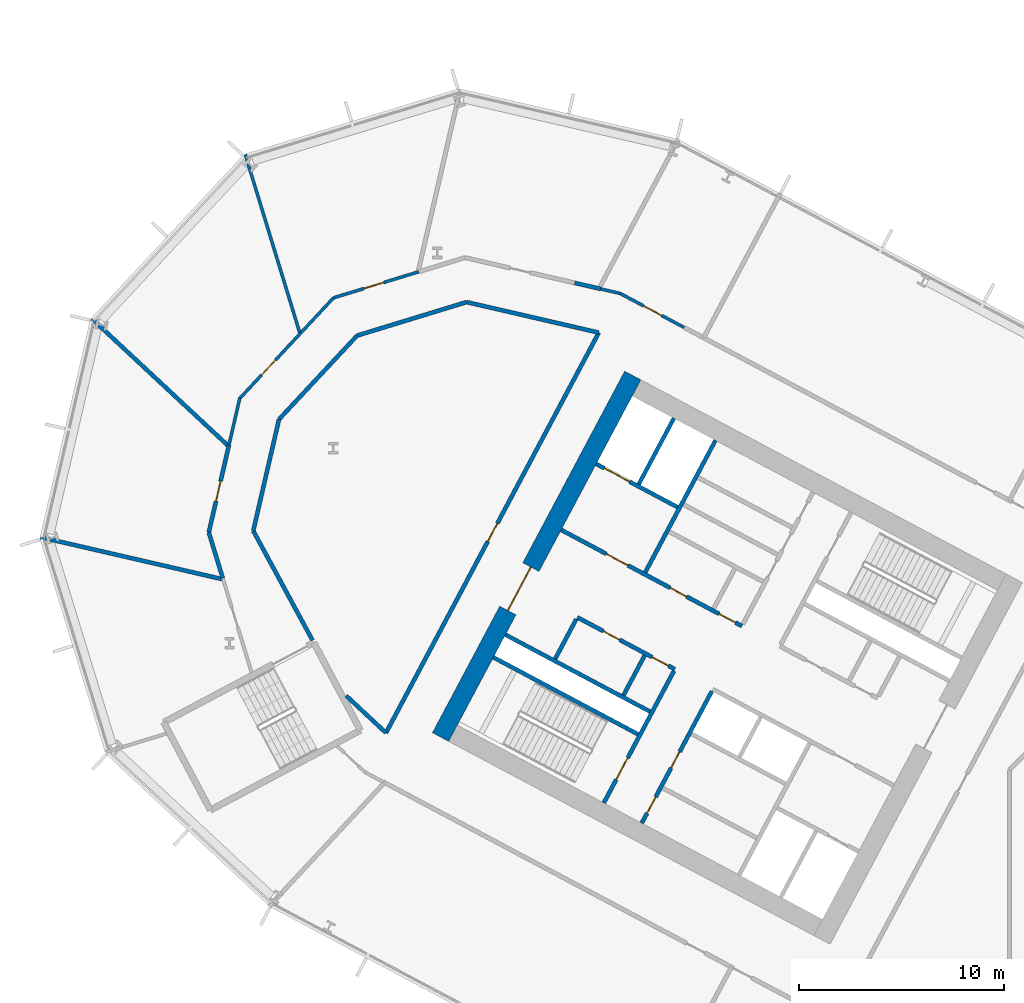
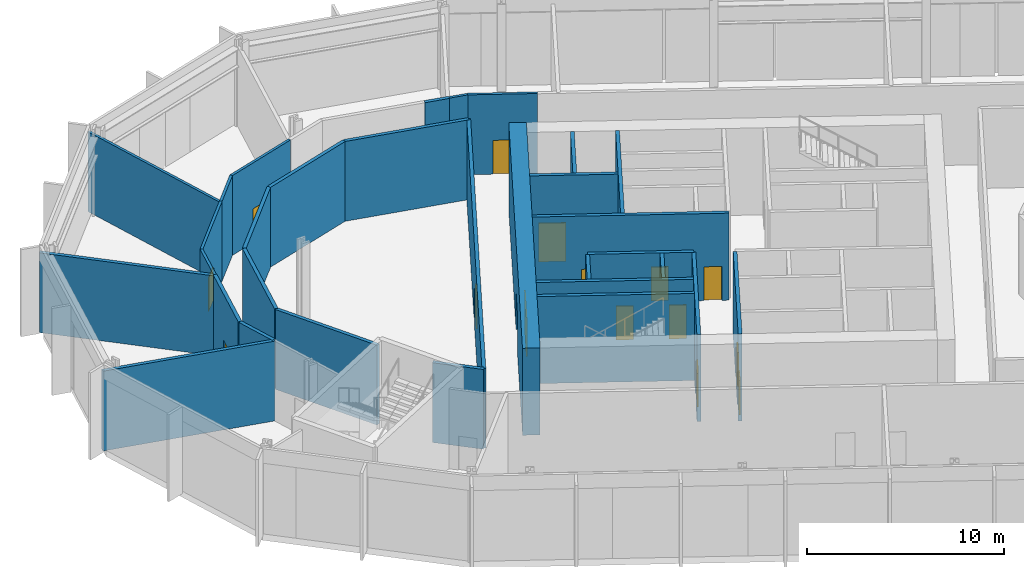
# One storey, part 13 of 32: 31 walls, 15 doors, 15 openings.
"""IFC4 building model written with IfcOpenShell, lengths in metres."""

import ifcopenshell
import ifcopenshell.guid

model = None  # the IFC model being written
_history = None  # IfcOwnerHistory: only IFC2X3 demands one
_inside = {}  # id of a spatial element -> (the spatial element, [elements in it])
_under = {}  # id of a project, library or spatial element -> (it, [spatial elements below it])
_declared = {}  # id of a project -> (the project, [libraries it declares])
_typed = {}  # id of a type object -> (the type object, [elements of that type])
_made_of = {}  # id of a material, layer set ... -> (it, [elements and type objects made of it])


def new_model(schema):
    """Start an empty IFC model of exactly this schema.

    Asked for "IFC4X3", IfcOpenShell would pick the latest addendum, in which some entities
    have other attributes; the version numbers below select the first issue.
    IFC2X3 requires an IfcOwnerHistory on every rooted entity: one is made here for all.
    """
    global model, _history
    if schema == "IFC4X3":
        model = ifcopenshell.file(schema_version=(4, 3, 0, 0))
    else:
        model = ifcopenshell.file(schema=schema)
    _inside.clear()
    _under.clear()
    _declared.clear()
    _typed.clear()
    _made_of.clear()
    _history = None
    if model.schema == "IFC2X3":
        org = make("IfcOrganization", Name="unknown")
        user = make(
            "IfcPersonAndOrganization",
            ThePerson=make("IfcPerson", FamilyName="unknown"),
            TheOrganization=org,
        )
        app = make(
            "IfcApplication",
            ApplicationDeveloper=org,
            Version="unknown",
            ApplicationFullName="unknown",
            ApplicationIdentifier="unknown",
        )
        _history = make(
            "IfcOwnerHistory",
            OwningUser=user,
            OwningApplication=app,
            ChangeAction="ADDED",
            CreationDate=0,
        )
    return model


def make(cls, **values):
    """One entity of the class cls with the attributes given. An attribute that is None is left unset."""
    return model.create_entity(
        cls, **{name: value for name, value in values.items() if value is not None}
    )


def rooted(cls, **values):
    """An entity with a GlobalId (a new one), such as an element, a storey or a relation."""
    return make(cls, GlobalId=ifcopenshell.guid.new(), OwnerHistory=_history, **values)


def si_unit(unit_type, name, prefix=None):
    """IfcSIUnit, for example si_unit("LENGTHUNIT", "METRE", prefix="MILLI")."""
    return make("IfcSIUnit", UnitType=unit_type, Prefix=prefix, Name=name)


def assignment(units):
    """IfcUnitAssignment: the units of a project."""
    return None if units is None else make("IfcUnitAssignment", Units=units)


def point(xyz):
    """IfcCartesianPoint."""
    return None if xyz is None else make("IfcCartesianPoint", Coordinates=xyz)


def direction(xyz):
    """IfcDirection."""
    return None if xyz is None else make("IfcDirection", DirectionRatios=xyz)


def frame(location, z_axis=None, x_axis=None):
    """IfcAxis2Placement3D, a coordinate frame: its origin and axes. An axis left out is left unset."""
    return make(
        "IfcAxis2Placement3D",
        Location=point(location),
        Axis=direction(z_axis),
        RefDirection=direction(x_axis),
    )


def frame_2d(location, x_axis=None):
    """IfcAxis2Placement2D, a coordinate frame in the plane: its origin and x axis."""
    return make(
        "IfcAxis2Placement2D", Location=point(location), RefDirection=direction(x_axis)
    )


def origin():
    """The frame at (0, 0, 0) with its axes left unset."""
    return frame((0.0, 0.0, 0.0))


def place(relative_to, where):
    """IfcLocalPlacement: puts the frame where relative to a parent placement (None: the world)."""
    return make(
        "IfcLocalPlacement", PlacementRelTo=relative_to, RelativePlacement=where
    )


def context(
    kind, dimensions, precision=None, world=None, true_north=None, identifier=None
):
    """IfcGeometricRepresentationContext, for example the 3D "Model" context."""
    return make(
        "IfcGeometricRepresentationContext",
        ContextIdentifier=identifier,
        ContextType=kind,
        CoordinateSpaceDimension=dimensions,
        Precision=precision,
        WorldCoordinateSystem=world,
        TrueNorth=true_north,
    )


def subcontext(parent, identifier, kind, view, scale=None):
    """IfcGeometricRepresentationSubContext, for example "Body" below "Model"."""
    return make(
        "IfcGeometricRepresentationSubContext",
        ContextIdentifier=identifier,
        ContextType=kind,
        ParentContext=parent,
        TargetScale=scale,
        TargetView=view,
    )


def project(units=None, contexts=None):
    """IfcProject with its units and contexts."""
    return rooted(
        "IfcProject",
        Name="project",
        RepresentationContexts=contexts,
        UnitsInContext=assignment(units),
    )


def spatial(cls, under=None, at=None, **own):
    """A site, building, storey or space (cls), placed at a placement, below another one or the project."""
    s = rooted(cls, ObjectPlacement=at, **own)
    if under is not None:
        _under.setdefault(under.id(), (under, []))[1].append(s)
    return s


def profile(cls, at=None, kind="AREA", **sizes):
    """A parametric profile (cls). Its sizes go by their IFC names, for example OverallWidth=200.0."""
    return make(cls, ProfileType=kind, Position=at, **sizes)


def rectangle(**sizes):
    """IfcRectangleProfileDef."""
    return profile("IfcRectangleProfileDef", **sizes)


def extrude(swept, where, along, depth):
    """IfcExtrudedAreaSolid: the profile swept, set in the frame where, extruded along a direction by depth."""
    return make(
        "IfcExtrudedAreaSolid",
        SweptArea=swept,
        Position=where,
        ExtrudedDirection=direction(along),
        Depth=depth,
    )


def shape(context_of_items, identifier, shape_type, items):
    """IfcShapeRepresentation: the items that make up one representation, for example the "Body"."""
    return make(
        "IfcShapeRepresentation",
        ContextOfItems=context_of_items,
        RepresentationIdentifier=identifier,
        RepresentationType=shape_type,
        Items=items,
    )


def material(Name=None, Category=None):
    """IfcMaterial."""
    return make("IfcMaterial", Name=Name, Category=Category)


def layer(
    of_material, thickness, ventilated=None, Name=None, Category=None, Priority=None
):
    """IfcMaterialLayer: one layer of a wall or slab, of a material (None: an air gap)."""
    return make(
        "IfcMaterialLayer",
        Material=of_material,
        LayerThickness=thickness,
        IsVentilated=ventilated,
        Name=Name,
        Category=Category,
        Priority=Priority,
    )


def layer_set(layers, Name=None):
    """IfcMaterialLayerSet."""
    return make("IfcMaterialLayerSet", MaterialLayers=layers, LayerSetName=Name)


def made_of(thing, what):
    """Note that an element or type object is made of a material, layer set ...; save() writes the relation."""
    if what is not None:
        _made_of.setdefault(what.id(), (what, []))[1].append(thing)
    return thing


def type_object(cls, material=None, **own):
    """A type object (cls), such as IfcWallType, which elements share."""
    return made_of(rooted(cls, **own), material)


def element(
    cls,
    number,
    at=None,
    inside=None,
    cuts=None,
    type_object=None,
    material=None,
    context=None,
    identifier="Body",
    shape_type=None,
    held_by="IfcProductDefinitionShape",
    body=None,
    shapes=None,
    **own,
):
    """One element of the class cls, such as IfcWall. Its Tag is "e" and its number.

    at: its placement. inside: the storey or other place that contains it. cuts: it is an
    opening in that element (IfcRelVoidsElement). A single representation is given by context,
    identifier, shape_type and body (its items); several are given by shapes. held_by: the class
    of the entity that holds the representations. save() writes the other relations.
    """
    e = rooted(cls, Tag="e%d" % number, ObjectPlacement=at, **own)
    if body is not None:
        shapes = [shape(context, identifier, shape_type, body)]
    if shapes is not None:
        e.Representation = make(held_by, Representations=shapes)
    if inside is not None:
        _inside.setdefault(inside.id(), (inside, []))[1].append(e)
    if cuts is not None:
        rooted(
            "IfcRelVoidsElement", RelatingBuildingElement=cuts, RelatedOpeningElement=e
        )
    if type_object is not None:
        _typed.setdefault(type_object.id(), (type_object, []))[1].append(e)
    return made_of(e, material)


def fill(opening, filler):
    """IfcRelFillsElement: the door or window that sits in an opening."""
    return rooted(
        "IfcRelFillsElement",
        RelatingOpeningElement=opening,
        RelatedBuildingElement=filler,
    )


def aggregate(whole, parts):
    """IfcRelAggregates: a whole, such as a stair, and the parts it consists of."""
    return rooted("IfcRelAggregates", RelatingObject=whole, RelatedObjects=parts)


def save(model, path):
    """Write the relations noted so far, then the file.

    IfcRelAggregates (storeys below a building ...), IfcRelContainedInSpatialStructure (elements
    in a storey), IfcRelDefinesByType, IfcRelAssociatesMaterial and IfcRelDeclares: one each for
    every whole, place, type object, material and project.
    """
    for whole, parts in _under.values():
        aggregate(whole, parts)
    for where, things in _inside.values():
        rooted(
            "IfcRelContainedInSpatialStructure",
            RelatedElements=things,
            RelatingStructure=where,
        )
    for kind, things in _typed.values():
        rooted("IfcRelDefinesByType", RelatedObjects=things, RelatingType=kind)
    for what, things in _made_of.values():
        rooted("IfcRelAssociatesMaterial", RelatedObjects=things, RelatingMaterial=what)
    for by, libraries in _declared.values():
        rooted("IfcRelDeclares", RelatingContext=by, RelatedDefinitions=libraries)
    model.write(path)


model = new_model("IFC4")

# Units and contexts
model_context = context("Model", 3, precision=1e-05, world=origin(), true_north=direction((0.0, 1.0)))
body_context = subcontext(model_context, "Body", "Model", "MODEL_VIEW")
ifc_project = project(units=[si_unit("LENGTHUNIT", "METRE"), si_unit("AREAUNIT", "SQUARE_METRE"), si_unit("VOLUMEUNIT", "CUBIC_METRE"), si_unit("PLANEANGLEUNIT", "RADIAN"), si_unit("MASSUNIT", "GRAM", prefix="KILO")], contexts=[model_context])

# Site, building, storey
site_placement = place(None, origin())
site = spatial("IfcSite", under=ifc_project, at=site_placement, CompositionType="ELEMENT")
building_placement = place(site_placement, origin())
building = spatial("IfcBuilding", under=site, at=building_placement, Name="Cormorant Relay Tower", CompositionType="ELEMENT")
storey_placement = place(building_placement, frame((0.0, 0.0, 17.60009765625)))
storey = spatial("IfcBuildingStorey", under=building, at=storey_placement, Name="L03", CompositionType="ELEMENT", Elevation=17.60009765625)

# Wall
ifc_material_1 = material(Name="Concrete 40 MPa", Category="concrete")
ifc_layer_1 = layer(ifc_material_1, 0.199951171875)
ifc_layer_set_1 = layer_set([ifc_layer_1], Name="Core internal wall 200")
wall_type_1 = type_object("IfcWallType", Name="Core internal wall 200", PredefinedType="SOLIDWALL", material=ifc_layer_set_1)
wall_1_placement = place(storey_placement, frame((-31.41259765625, 14.663818359375, 0.0), z_axis=(0.0, 0.0, 1.0), x_axis=(-0.469533832133, -0.882914480843, 0.0)))
element("IfcWall", 1, at=wall_1_placement, inside=storey, type_object=wall_type_1, Name="L03 core A shaft and room wall", PredefinedType="SOLIDWALL", context=body_context, shape_type="SweptSolid", body=[
    extrude(rectangle(XDim=2.199951171875, YDim=0.199951171875, at=frame_2d((1.10009765625, 0.0))), origin(), (0.0, 0.0, 1.0), 5.39990234375),
])

# Wall, openings, doors
ifc_material_2 = material(Name="Concrete 50 MPa", Category="concrete")
ifc_layer_2 = layer(ifc_material_2, 0.199951171875)
ifc_layer_set_2 = layer_set([ifc_layer_2], Name="Core shaft wall 200")
wall_type_2 = type_object("IfcWallType", Name="Core shaft wall 200", PredefinedType="SHEAR", material=ifc_layer_set_2)
wall_2_placement = place(storey_placement, frame((-28.128173828125, 12.91748046875, 0.0), z_axis=(0.0, 0.0, 1.0), x_axis=(-0.469454336211, -0.882956752176, 0.0)))
wall_2 = element("IfcWall", 2, at=wall_2_placement, inside=storey, type_object=wall_type_2, Name="L03 core A shaft wall", PredefinedType="SHEAR", context=body_context, shape_type="SweptSolid", body=[
    extrude(rectangle(XDim=7.300048828125, YDim=0.199951171875, at=frame_2d((3.64990234375, 0.0))), origin(), (0.0, 0.0, 1.0), 5.39990234375),
])
opening_1_placement = place(wall_2_placement, frame((3.35009765625, 0.0, 0.0)))
opening_1 = element("IfcOpeningElement", 3, at=opening_1_placement, cuts=wall_2, Name="Opening CDD-069", PredefinedType="OPENING", context=body_context, shape_type="SweptSolid", body=[
    extrude(rectangle(XDim=0.89990234375, YDim=2.10009765625, at=frame_2d((0.449951171875, 1.050048828125))), frame((0.0, 0.10986328125, 0.0), z_axis=(0.0, -1.0, 0.0), x_axis=(1.0, 0.0, 0.0)), (0.0, 0.0, 1.0), 0.219970703125),
])
opening_2_placement = place(wall_2_placement, frame((5.85009765625, 0.0, 0.0)))
opening_2 = element("IfcOpeningElement", 4, at=opening_2_placement, cuts=wall_2, Name="Opening CDD-070", PredefinedType="OPENING", context=body_context, shape_type="SweptSolid", body=[
    extrude(rectangle(XDim=0.89990234375, YDim=2.10009765625, at=frame_2d((0.449951171875, 1.050048828125))), frame((0.0, 0.10986328125, 0.0), z_axis=(0.0, -1.0, 0.0), x_axis=(1.0, 0.0, 0.0)), (0.0, 0.0, 1.0), 0.219970703125),
])
ifc_material_3 = material(Name="Steel fire door", Category="steel")
door_type_1 = type_object("IfcDoorType", Name="Core room door 900x2100", OperationType="SINGLE_SWING_LEFT", PredefinedType="DOOR", material=ifc_material_3)
door_1_placement = place(opening_1_placement, origin())
door_1 = element("IfcDoor", 5, at=door_1_placement, inside=storey, type_object=door_type_1, Name="Core room door 900x2100", OperationType="SINGLE_SWING_LEFT", OverallHeight=2.10009765625, OverallWidth=0.89990234375, PredefinedType="DOOR", context=body_context, shape_type="SweptSolid", body=[
    extrude(rectangle(XDim=0.89990234375, YDim=2.10009765625, at=frame_2d((0.449951171875, 1.050048828125))), frame((0.0, 0.02490234375, 0.0), z_axis=(0.0, -1.0, 0.0), x_axis=(1.0, 0.0, 0.0)), (0.0, 0.0, 1.0), 0.050048828125),
])
fill(opening_1, door_1)
door_2_placement = place(opening_2_placement, origin())
door_2 = element("IfcDoor", 6, at=door_2_placement, inside=storey, type_object=door_type_1, Name="Core room door 900x2100", OperationType="SINGLE_SWING_LEFT", OverallHeight=2.10009765625, OverallWidth=0.89990234375, PredefinedType="DOOR", context=body_context, shape_type="SweptSolid", body=[
    extrude(rectangle(XDim=0.89990234375, YDim=2.10009765625, at=frame_2d((0.449951171875, 1.050048828125))), frame((0.0, 0.02490234375, 0.0), z_axis=(0.0, -1.0, 0.0), x_axis=(1.0, 0.0, 0.0)), (0.0, 0.0, 1.0), 0.050048828125),
])
fill(opening_2, door_2)

# Wall, opening, door
wall_3_placement = place(storey_placement, frame((-29.982421875, 13.9033203125, 0.0), z_axis=(0.0, 0.0, 1.0), x_axis=(-0.469454336211, -0.882956752176, 0.0)))
wall_3 = element("IfcWall", 7, at=wall_3_placement, inside=storey, type_object=wall_type_2, Name="L03 core A shaft wall", PredefinedType="SHEAR", context=body_context, shape_type="SweptSolid", body=[
    extrude(rectangle(XDim=7.300048828125, YDim=0.199951171875, at=frame_2d((3.64990234375, 0.0))), origin(), (0.0, 0.0, 1.0), 5.39990234375),
])
opening_3_placement = place(wall_3_placement, frame((4.800048828125, 0.0, 0.0)))
opening_3 = element("IfcOpeningElement", 8, at=opening_3_placement, cuts=wall_3, Name="Opening CDB-020", PredefinedType="OPENING", context=body_context, shape_type="SweptSolid", body=[
    extrude(rectangle(XDim=1.199951171875, YDim=2.10009765625, at=frame_2d((0.60009765625, 1.050048828125))), frame((0.0, 0.10986328125, 0.0), z_axis=(0.0, -1.0, 0.0), x_axis=(1.0, 0.0, 0.0)), (0.0, 0.0, 1.0), 0.219970703125),
])
ifc_material_4 = material(Name="Steel fire door", Category="steel")
door_type_2 = type_object("IfcDoorType", Name="Core stair door 1200x2100", OperationType="SINGLE_SWING_LEFT", PredefinedType="DOOR", material=ifc_material_4)
door_3_placement = place(opening_3_placement, frame((1.199951171875, 0.0, 0.0), z_axis=(0.0, 0.0, 1.0), x_axis=(-1.0, 0.0, 0.0)))
door_3 = element("IfcDoor", 9, at=door_3_placement, inside=storey, type_object=door_type_2, Name="Core stair door 1200x2100", OperationType="SINGLE_SWING_RIGHT", OverallHeight=2.10009765625, OverallWidth=1.199951171875, PredefinedType="DOOR", context=body_context, shape_type="SweptSolid", body=[
    extrude(rectangle(XDim=1.199951171875, YDim=2.10009765625, at=frame_2d((0.60009765625, 1.050048828125))), frame((0.0, 0.02490234375, 0.0), z_axis=(0.0, -1.0, 0.0), x_axis=(1.0, 0.0, 0.0)), (0.0, 0.0, 1.0), 0.050048828125),
])
fill(opening_3, door_3)

# Walls
wall_4_placement = place(storey_placement, frame((-27.955322265625, 25.170654296875, 0.0), z_axis=(0.0, 0.0, 1.0), x_axis=(-0.469480409012, -0.88294288918, 0.0)))
element("IfcWall", 10, at=wall_4_placement, inside=storey, type_object=wall_type_2, Name="L03 core A shaft wall", PredefinedType="SHEAR", context=body_context, shape_type="SweptSolid", body=[
    extrude(rectangle(XDim=7.300048828125, YDim=0.199951171875, at=frame_2d((3.64990234375, 0.0))), origin(), (0.0, 0.0, 1.0), 5.39990234375),
])
wall_5_placement = place(storey_placement, frame((-34.750244140625, 16.4384765625, 0.0), z_axis=(0.0, 0.0, 1.0), x_axis=(-0.469401318492, -0.882984938828, 0.0)))
element("IfcWall", 11, at=wall_5_placement, inside=storey, type_object=wall_type_2, Name="L03 core A shaft wall", PredefinedType="SHEAR", context=body_context, shape_type="SweptSolid", body=[
    extrude(rectangle(XDim=2.199951171875, YDim=0.199951171875, at=frame_2d((1.10009765625, 0.0))), origin(), (0.0, 0.0, 1.0), 5.39990234375),
])
wall_6_placement = place(storey_placement, frame((-29.986083984375, 26.250244140625, 0.0), z_axis=(0.0, 0.0, 1.0), x_axis=(-0.469494272526, -0.882935517501, 0.0)))
element("IfcWall", 12, at=wall_6_placement, inside=storey, type_object=wall_type_2, Name="L03 core A shaft wall", PredefinedType="SHEAR", context=body_context, shape_type="SweptSolid", body=[
    extrude(rectangle(XDim=3.64990234375, YDim=0.199951171875, at=frame_2d((1.824951171875, 0.0))), origin(), (0.0, 0.0, 1.0), 5.39990234375),
])

# Wall, opening, door
wall_7_placement = place(storey_placement, frame((-29.80419921875, 21.906494140625, 0.0), z_axis=(0.0, 0.0, 1.0), x_axis=(-0.882960433586, 0.469447412093, 0.0)))
wall_7 = element("IfcWall", 13, at=wall_7_placement, inside=storey, type_object=wall_type_2, Name="L03 core A shaft wall", PredefinedType="SHEAR", context=body_context, shape_type="SweptSolid", body=[
    extrude(rectangle(XDim=4.5, YDim=0.199951171875, at=frame_2d((2.25, 0.0))), origin(), (0.0, 0.0, 1.0), 5.39990234375),
])
opening_4_placement = place(wall_7_placement, frame((2.64990234375, 0.0, 0.0)))
opening_4 = element("IfcOpeningElement", 14, at=opening_4_placement, cuts=wall_7, Name="Opening LD3-007", PredefinedType="OPENING", context=body_context, shape_type="SweptSolid", body=[
    extrude(rectangle(XDim=1.39990234375, YDim=2.39990234375, at=frame_2d((0.699951171875, 1.199951171875))), frame((0.0, 0.10986328125, 0.0), z_axis=(0.0, -1.0, 0.0), x_axis=(1.0, 0.0, 0.0)), (0.0, 0.0, 1.0), 0.219970703125),
])
ifc_material_5 = material(Name="Stainless steel 316", Category="steel")
door_type_3 = type_object("IfcDoorType", Name="Lift landing door 1400x2400", OperationType="DOUBLE_DOOR_SLIDING", PredefinedType="DOOR", material=ifc_material_5)
door_4_placement = place(opening_4_placement, origin())
door_4 = element("IfcDoor", 15, at=door_4_placement, inside=storey, type_object=door_type_3, Name="SV1 landing door", OperationType="DOUBLE_DOOR_SLIDING", OverallHeight=2.39990234375, OverallWidth=1.39990234375, PredefinedType="DOOR", context=body_context, shape_type="SweptSolid", body=[
    extrude(rectangle(XDim=1.39990234375, YDim=2.39990234375, at=frame_2d((0.699951171875, 1.199951171875))), frame((0.0, 0.02490234375, 0.0), z_axis=(0.0, -1.0, 0.0), x_axis=(1.0, 0.0, 0.0)), (0.0, 0.0, 1.0), 0.050048828125),
])
fill(opening_4, door_4)

# Wall, openings, doors
wall_8_placement = place(storey_placement, frame((-26.66162109375, 16.1015625, 0.0), z_axis=(0.0, 0.0, 1.0), x_axis=(-0.882940221191, 0.469485426614, 0.0)))
wall_8 = element("IfcWall", 16, at=wall_8_placement, inside=storey, type_object=wall_type_2, Name="L03 core A shaft wall", PredefinedType="SHEAR", context=body_context, shape_type="SweptSolid", body=[
    extrude(rectangle(XDim=10.0, YDim=0.199951171875, at=frame_2d((5.0, 0.0))), origin(), (0.0, 0.0, 1.0), 5.39990234375),
])
opening_5_placement = place(wall_8_placement, frame((6.300048828125, 0.0, 0.0)))
opening_5 = element("IfcOpeningElement", 17, at=opening_5_placement, cuts=wall_8, Name="Opening CDC-014", PredefinedType="OPENING", context=body_context, shape_type="SweptSolid", body=[
    extrude(rectangle(XDim=1.199951171875, YDim=2.10009765625, at=frame_2d((0.60009765625, 1.050048828125))), frame((0.0, 0.10986328125, 0.0), z_axis=(0.0, -1.0, 0.0), x_axis=(1.0, 0.0, 0.0)), (0.0, 0.0, 1.0), 0.219970703125),
])
opening_6_placement = place(wall_8_placement, frame((0.360107421875, 0.0, 0.0)))
opening_6 = element("IfcOpeningElement", 18, at=opening_6_placement, cuts=wall_8, Name="Opening CDD-067", PredefinedType="OPENING", context=body_context, shape_type="SweptSolid", body=[
    extrude(rectangle(XDim=0.89990234375, YDim=2.10009765625, at=frame_2d((0.449951171875, 1.050048828125))), frame((0.0, 0.10986328125, 0.0), z_axis=(0.0, -1.0, 0.0), x_axis=(1.0, 0.0, 0.0)), (0.0, 0.0, 1.0), 0.219970703125),
])
opening_7_placement = place(wall_8_placement, frame((3.06005859375, 0.0, 0.0)))
opening_7 = element("IfcOpeningElement", 19, at=opening_7_placement, cuts=wall_8, Name="Opening CDD-068", PredefinedType="OPENING", context=body_context, shape_type="SweptSolid", body=[
    extrude(rectangle(XDim=0.89990234375, YDim=2.10009765625, at=frame_2d((0.449951171875, 1.050048828125))), frame((0.0, 0.10986328125, 0.0), z_axis=(0.0, -1.0, 0.0), x_axis=(1.0, 0.0, 0.0)), (0.0, 0.0, 1.0), 0.219970703125),
])
ifc_material_6 = material(Name="Steel fire door", Category="steel")
door_type_4 = type_object("IfcDoorType", Name="Core lobby door 1200x2100", OperationType="SINGLE_SWING_LEFT", PredefinedType="DOOR", material=ifc_material_6)
door_5_placement = place(opening_5_placement, origin())
door_5 = element("IfcDoor", 20, at=door_5_placement, inside=storey, type_object=door_type_4, Name="Core lobby door 1200x2100", OperationType="SINGLE_SWING_LEFT", OverallHeight=2.10009765625, OverallWidth=1.199951171875, PredefinedType="DOOR", context=body_context, shape_type="SweptSolid", body=[
    extrude(rectangle(XDim=1.199951171875, YDim=2.10009765625, at=frame_2d((0.60009765625, 1.050048828125))), frame((0.0, 0.02490234375, 0.0), z_axis=(0.0, -1.0, 0.0), x_axis=(1.0, 0.0, 0.0)), (0.0, 0.0, 1.0), 0.050048828125),
])
fill(opening_5, door_5)
door_6_placement = place(opening_6_placement, origin())
door_6 = element("IfcDoor", 21, at=door_6_placement, inside=storey, type_object=door_type_1, Name="Core room door 900x2100", OperationType="SINGLE_SWING_LEFT", OverallHeight=2.10009765625, OverallWidth=0.89990234375, PredefinedType="DOOR", context=body_context, shape_type="SweptSolid", body=[
    extrude(rectangle(XDim=0.89990234375, YDim=2.10009765625, at=frame_2d((0.449951171875, 1.050048828125))), frame((0.0, 0.02490234375, 0.0), z_axis=(0.0, -1.0, 0.0), x_axis=(1.0, 0.0, 0.0)), (0.0, 0.0, 1.0), 0.050048828125),
])
fill(opening_6, door_6)
door_7_placement = place(opening_7_placement, frame((0.89990234375, 0.0, 0.0), z_axis=(0.0, 0.0, 1.0), x_axis=(-1.0, 0.0, 0.0)))
door_7 = element("IfcDoor", 22, at=door_7_placement, inside=storey, type_object=door_type_1, Name="Core room door 900x2100", OperationType="SINGLE_SWING_RIGHT", OverallHeight=2.10009765625, OverallWidth=0.89990234375, PredefinedType="DOOR", context=body_context, shape_type="SweptSolid", body=[
    extrude(rectangle(XDim=0.89990234375, YDim=2.10009765625, at=frame_2d((0.449951171875, 1.050048828125))), frame((0.0, 0.02490234375, 0.0), z_axis=(0.0, -1.0, 0.0), x_axis=(1.0, 0.0, 0.0)), (0.0, 0.0, 1.0), 0.050048828125),
])
fill(opening_7, door_7)

wall_9_placement = place(storey_placement, frame((-29.935302734375, 13.991455078125, 0.0), z_axis=(0.0, 0.0, 1.0), x_axis=(-0.882952937579, 0.469461510692, 0.0)))
wall_9 = element("IfcWall", 23, at=wall_9_placement, inside=storey, type_object=wall_type_2, Name="L03 core A shaft wall", PredefinedType="SHEAR", context=body_context, shape_type="SweptSolid", body=[
    extrude(rectangle(XDim=5.400146484375, YDim=0.199951171875, at=frame_2d((2.7001953125, 0.0))), origin(), (0.0, 0.0, 1.0), 5.39990234375),
])
opening_8_placement = place(wall_9_placement, frame((0.360107421875, 0.0, 0.0)))
opening_8 = element("IfcOpeningElement", 24, at=opening_8_placement, cuts=wall_9, Name="Opening CDD-063", PredefinedType="OPENING", context=body_context, shape_type="SweptSolid", body=[
    extrude(rectangle(XDim=0.89990234375, YDim=2.10009765625, at=frame_2d((0.449951171875, 1.050048828125))), frame((0.0, 0.10986328125, 0.0), z_axis=(0.0, -1.0, 0.0), x_axis=(1.0, 0.0, 0.0)), (0.0, 0.0, 1.0), 0.219970703125),
])
opening_9_placement = place(wall_9_placement, frame((3.06005859375, 0.0, 0.0)))
opening_9 = element("IfcOpeningElement", 25, at=opening_9_placement, cuts=wall_9, Name="Opening CDD-064", PredefinedType="OPENING", context=body_context, shape_type="SweptSolid", body=[
    extrude(rectangle(XDim=0.89990234375, YDim=2.10009765625, at=frame_2d((0.449951171875, 1.050048828125))), frame((0.0, 0.10986328125, 0.0), z_axis=(0.0, -1.0, 0.0), x_axis=(1.0, 0.0, 0.0)), (0.0, 0.0, 1.0), 0.219970703125),
])
door_8_placement = place(opening_8_placement, origin())
door_8 = element("IfcDoor", 26, at=door_8_placement, inside=storey, type_object=door_type_1, Name="Core room door 900x2100", OperationType="SINGLE_SWING_LEFT", OverallHeight=2.10009765625, OverallWidth=0.89990234375, PredefinedType="DOOR", context=body_context, shape_type="SweptSolid", body=[
    extrude(rectangle(XDim=0.89990234375, YDim=2.10009765625, at=frame_2d((0.449951171875, 1.050048828125))), frame((0.0, 0.02490234375, 0.0), z_axis=(0.0, -1.0, 0.0), x_axis=(1.0, 0.0, 0.0)), (0.0, 0.0, 1.0), 0.050048828125),
])
fill(opening_8, door_8)
door_9_placement = place(opening_9_placement, origin())
door_9 = element("IfcDoor", 27, at=door_9_placement, inside=storey, type_object=door_type_1, Name="Core room door 900x2100", OperationType="SINGLE_SWING_LEFT", OverallHeight=2.10009765625, OverallWidth=0.89990234375, PredefinedType="DOOR", context=body_context, shape_type="SweptSolid", body=[
    extrude(rectangle(XDim=0.89990234375, YDim=2.10009765625, at=frame_2d((0.449951171875, 1.050048828125))), frame((0.0, 0.02490234375, 0.0), z_axis=(0.0, -1.0, 0.0), x_axis=(1.0, 0.0, 0.0)), (0.0, 0.0, 1.0), 0.050048828125),
])
fill(opening_9, door_9)

# Walls
for number, where, z_axis, x_axis, name in (
    (28, (-31.150390625, 11.91943359375, 0.0), (0.0, 0.0, 1.0), (-0.882940221191, 0.469485426614, 0.0), "L03 core A shaft wall"),
    (29, (-31.7373046875, 10.815673828125, 0.0), (0.0, 0.0, 1.0), (-0.882940221191, 0.469485426614, 0.0), "L03 core A shaft wall"),
):
    element("IfcWall", number, at=place(storey_placement, frame(where, z_axis=z_axis, x_axis=x_axis)), inside=storey, type_object=wall_type_2, Name=name, PredefinedType="SHEAR", context=body_context, shape_type="SweptSolid", body=[
        extrude(rectangle(XDim=8.0, YDim=0.199951171875, at=frame_2d((4.0, 0.0))), origin(), (0.0, 0.0, 1.0), 5.39990234375),
    ])

# Wall, opening, door
ifc_material_7 = material(Name="Concrete 70 MPa", Category="concrete")
ifc_layer_3 = layer(ifc_material_7, 0.89990234375)
ifc_layer_set_3 = layer_set([ifc_layer_3], Name="Core wall 900")
wall_type_3 = type_object("IfcWallType", Name="Core wall 900", PredefinedType="SHEAR", material=ifc_layer_set_3)
wall_10_placement = place(storey_placement, frame((-31.99169921875, 28.3359375, 0.0), z_axis=(0.0, 0.0, 1.0), x_axis=(-0.46947084998, -0.882947971864, 0.0)))
wall_10 = element("IfcWall", 30, at=wall_10_placement, inside=storey, type_object=wall_type_3, Name="L03 core A wall", PredefinedType="SHEAR", context=body_context, shape_type="SweptSolid", body=[
    extrude(rectangle(XDim=20.0, YDim=0.89990234375, at=frame_2d((10.0, 0.0))), origin(), (0.0, 0.0, 1.0), 5.39990234375),
])
opening_10_placement = place(wall_10_placement, frame((10.60009765625, 0.0, 0.0)))
opening_10 = element("IfcOpeningElement", 31, at=opening_10_placement, cuts=wall_10, Name="Opening CDA-014", PredefinedType="OPENING", context=body_context, shape_type="SweptSolid", body=[
    extrude(rectangle(XDim=2.39990234375, YDim=2.39990234375, at=frame_2d((1.199951171875, 1.199951171875))), frame((0.0, 0.4599609375, 0.0), z_axis=(0.0, -1.0, 0.0), x_axis=(1.0, 0.0, 0.0)), (0.0, 0.0, 1.0), 0.919921875),
])
ifc_material_8 = material(Name="Steel fire door", Category="steel")
door_type_5 = type_object("IfcDoorType", Name="Core lobby door 2400x2400", OperationType="DOUBLE_DOOR_SINGLE_SWING", PredefinedType="DOOR", material=ifc_material_8)
door_10_placement = place(opening_10_placement, origin())
door_10 = element("IfcDoor", 32, at=door_10_placement, inside=storey, type_object=door_type_5, Name="Core lobby door 2400x2400", OperationType="DOUBLE_DOOR_SINGLE_SWING", OverallHeight=2.39990234375, OverallWidth=2.39990234375, PredefinedType="DOOR", context=body_context, shape_type="SweptSolid", body=[
    extrude(rectangle(XDim=2.39990234375, YDim=2.39990234375, at=frame_2d((1.199951171875, 1.199951171875))), frame((0.0, 0.02490234375, 0.0), z_axis=(0.0, -1.0, 0.0), x_axis=(1.0, 0.0, 0.0)), (0.0, 0.0, 1.0), 0.050048828125),
])
fill(opening_10, door_10)

# Walls
ifc_material_9 = material(Name="Fire-rated gypsum board partition")
ifc_layer_4 = layer(ifc_material_9, 0.199951171875)
ifc_layer_set_4 = layer_set([ifc_layer_4], Name="Fire-rated gypsum partition 200")
wall_type_4 = type_object("IfcWallType", Name="Fire-rated gypsum partition 200", PredefinedType="PARTITIONING", material=ifc_layer_set_4)
wall_11_placement = place(storey_placement, frame((-52.0, 18.3798828125, 0.0), z_axis=(0.0, 0.0, 1.0), x_axis=(-0.974364676657, 0.224974391617, 0.0)))
element("IfcWall", 33, at=wall_11_placement, inside=storey, type_object=wall_type_4, Name="wall/L03/part/1", PredefinedType="PARTITIONING", context=body_context, shape_type="SweptSolid", body=[
    extrude(rectangle(XDim=9.15673828125, YDim=0.199951171875, at=frame_2d((4.578369140625, 0.0))), origin(), (0.0, 0.0, 1.0), 4.949951171875),
])
wall_12_placement = place(storey_placement, frame((-58.427001953125, 31.125, 0.0), z_axis=(0.0, 0.0, 1.0), x_axis=(0.731471018411, -0.681872531508, 0.0)))
element("IfcWall", 34, at=wall_12_placement, inside=storey, type_object=wall_type_4, Name="wall/L03/part/2", PredefinedType="PARTITIONING", context=body_context, shape_type="SweptSolid", body=[
    extrude(rectangle(XDim=9.155517578125, YDim=0.199951171875, at=frame_2d((4.57763671875, 0.0))), origin(), (0.0, 0.0, 1.0), 4.949951171875),
])

# Wall, opening, door
wall_13_placement = place(storey_placement, frame((-51.717041015625, 24.93505859375, 0.0), z_axis=(0.0, 0.0, 1.0), x_axis=(-0.224936958004, -0.974373319074, 0.0)))
wall_13 = element("IfcWall", 35, at=wall_13_placement, inside=storey, type_object=wall_type_4, Name="wall/L03/part/4", PredefinedType="PARTITIONING", context=body_context, shape_type="SweptSolid", body=[
    extrude(rectangle(XDim=4.3740234375, YDim=0.199951171875, at=frame_2d((2.18701171875, 0.0))), origin(), (0.0, 0.0, 1.0), 4.949951171875),
])
opening_11_placement = place(wall_13_placement, frame((1.81103515625, 0.0, 0.0)))
opening_11 = element("IfcOpeningElement", 36, at=opening_11_placement, cuts=wall_13, Name="Opening FD1-016", PredefinedType="OPENING", context=body_context, shape_type="SweptSolid", body=[
    extrude(rectangle(XDim=1.0, YDim=2.10009765625, at=frame_2d((0.5, 1.050048828125))), frame((0.0, 0.10986328125, 0.0), z_axis=(0.0, -1.0, 0.0), x_axis=(1.0, 0.0, 0.0)), (0.0, 0.0, 1.0), 0.219970703125),
])
ifc_material_10 = material(Name="Fire-rated steel door", Category="steel")
door_type_6 = type_object("IfcDoorType", Name="Fire door 1000 x 2100", OperationType="SINGLE_SWING_LEFT", PredefinedType="DOOR", material=ifc_material_10)
door_11_placement = place(opening_11_placement, frame((1.0, 0.0, 0.0), z_axis=(0.0, 0.0, 1.0), x_axis=(-1.0, 0.0, 0.0)))
door_11 = element("IfcDoor", 37, at=door_11_placement, inside=storey, type_object=door_type_6, Name="door/L03/18", OperationType="SINGLE_SWING_RIGHT", OverallHeight=2.10009765625, OverallWidth=1.0, PredefinedType="DOOR", context=body_context, shape_type="SweptSolid", body=[
    extrude(rectangle(XDim=1.0, YDim=2.10009765625, at=frame_2d((0.5, 1.050048828125))), frame((0.0, 0.02490234375, 0.0), z_axis=(0.0, -1.0, 0.0), x_axis=(1.0, 0.0, 0.0)), (0.0, 0.0, 1.0), 0.050048828125),
])
fill(opening_11, door_11)

# Walls
wall_14_placement = place(storey_placement, frame((-52.700927734375, 20.673095703125, 0.0), z_axis=(0.0, 0.0, 1.0), x_axis=(0.292364174208, -0.95630705824, 0.0)))
element("IfcWall", 38, at=wall_14_placement, inside=storey, type_object=wall_type_4, Name="wall/L03/part/5", PredefinedType="PARTITIONING", context=body_context, shape_type="SweptSolid", body=[
    extrude(rectangle(XDim=2.34228515625, YDim=0.199951171875, at=frame_2d((1.171142578125, 0.0))), origin(), (0.0, 0.0, 1.0), 4.949951171875),
])
wall_15_placement = place(storey_placement, frame((-47.635498046875, 15.404296875, 0.0), z_axis=(0.0, 0.0, 1.0), x_axis=(-0.476091616607, 0.879395686024, 0.0)))
element("IfcWall", 39, at=wall_15_placement, inside=storey, type_object=wall_type_4, Name="wall/L03/part/14", PredefinedType="PARTITIONING", context=body_context, shape_type="SweptSolid", body=[
    extrude(rectangle(XDim=6.07763671875, YDim=0.199951171875, at=frame_2d((3.038818359375, 0.0))), origin(), (0.0, 0.0, 1.0), 4.949951171875),
])
wall_16_placement = place(storey_placement, frame((-50.529052734375, 20.7490234375, 0.0), z_axis=(0.0, 0.0, 1.0), x_axis=(0.224961533954, 0.974367645317, 0.0)))
element("IfcWall", 40, at=wall_16_placement, inside=storey, type_object=wall_type_4, Name="wall/L03/part/15", PredefinedType="PARTITIONING", context=body_context, shape_type="SweptSolid", body=[
    extrude(rectangle(XDim=5.59228515625, YDim=0.199951171875, at=frame_2d((2.796142578125, 0.0))), origin(), (0.0, 0.0, 1.0), 4.949951171875),
])
wall_17_placement = place(storey_placement, frame((-49.27099609375, 26.197998046875, 0.0), z_axis=(0.0, 0.0, 1.0), x_axis=(0.682075535217, 0.73128172701, 0.0)))
element("IfcWall", 41, at=wall_17_placement, inside=storey, type_object=wall_type_4, Name="wall/L03/part/16", PredefinedType="PARTITIONING", context=body_context, shape_type="SweptSolid", body=[
    extrude(rectangle(XDim=5.591796875, YDim=0.199951171875, at=frame_2d((2.7958984375, 0.0))), origin(), (0.0, 0.0, 1.0), 4.949951171875),
])
wall_18_placement = place(storey_placement, frame((-45.45703125, 30.287109375, 0.0), z_axis=(0.0, 0.0, 1.0), x_axis=(0.956290198193, 0.292419316803, 0.0)))
element("IfcWall", 42, at=wall_18_placement, inside=storey, type_object=wall_type_4, Name="wall/L03/part/17", PredefinedType="PARTITIONING", context=body_context, shape_type="SweptSolid", body=[
    extrude(rectangle(XDim=5.59130859375, YDim=0.199951171875, at=frame_2d((2.795654296875, 0.0))), origin(), (0.0, 0.0, 1.0), 4.949951171875),
])
wall_19_placement = place(storey_placement, frame((-40.110107421875, 31.922119140625, 0.0), z_axis=(0.0, 0.0, 1.0), x_axis=(0.974361387977, -0.224988634423, 0.0)))
element("IfcWall", 43, at=wall_19_placement, inside=storey, type_object=wall_type_4, Name="wall/L03/part/18", PredefinedType="PARTITIONING", context=body_context, shape_type="SweptSolid", body=[
    extrude(rectangle(XDim=6.6279296875, YDim=0.199951171875, at=frame_2d((3.31396484375, 0.0))), origin(), (0.0, 0.0, 1.0), 4.949951171875),
])

# Wall, opening, door
wall_20_placement = place(storey_placement, frame((-33.652099609375, 30.430908203125, 0.0), z_axis=(0.0, 0.0, 1.0), x_axis=(-0.469497028511, -0.882934052021, 0.0)))
wall_20 = element("IfcWall", 44, at=wall_20_placement, inside=storey, type_object=wall_type_4, Name="wall/L03/part/19", PredefinedType="PARTITIONING", context=body_context, shape_type="SweptSolid", body=[
    extrude(rectangle(XDim=22.140869140625, YDim=0.199951171875, at=frame_2d((11.0703125, 0.0))), origin(), (0.0, 0.0, 1.0), 4.949951171875),
])
opening_12_placement = place(wall_20_placement, frame((10.550048828125, 0.0, 0.0)))
opening_12 = element("IfcOpeningElement", 45, at=opening_12_placement, cuts=wall_20, Name="Opening FD1-011", PredefinedType="OPENING", context=body_context, shape_type="SweptSolid", body=[
    extrude(rectangle(XDim=1.0, YDim=2.10009765625, at=frame_2d((0.5, 1.050048828125))), frame((0.0, 0.10986328125, 0.0), z_axis=(0.0, -1.0, 0.0), x_axis=(1.0, 0.0, 0.0)), (0.0, 0.0, 1.0), 0.219970703125),
])
door_12_placement = place(opening_12_placement, frame((1.0, 0.0, 0.0), z_axis=(0.0, 0.0, 1.0), x_axis=(-1.0, 0.0, 0.0)))
door_12 = element("IfcDoor", 46, at=door_12_placement, inside=storey, type_object=door_type_6, Name="door/L03/1", OperationType="SINGLE_SWING_RIGHT", OverallHeight=2.10009765625, OverallWidth=1.0, PredefinedType="DOOR", context=body_context, shape_type="SweptSolid", body=[
    extrude(rectangle(XDim=1.0, YDim=2.10009765625, at=frame_2d((0.5, 1.050048828125))), frame((0.0, 0.02490234375, 0.0), z_axis=(0.0, -1.0, 0.0), x_axis=(1.0, 0.0, 0.0)), (0.0, 0.0, 1.0), 0.050048828125),
])
fill(opening_12, door_12)

# Walls
wall_21_placement = place(storey_placement, frame((-44.047119140625, 10.882080078125, 0.0), z_axis=(0.0, 0.0, 1.0), x_axis=(-0.731253434149, 0.682105867916, 0.0)))
element("IfcWall", 47, at=wall_21_placement, inside=storey, type_object=wall_type_4, Name="wall/L03/part/20", PredefinedType="PARTITIONING", context=body_context, shape_type="SweptSolid", body=[
    extrude(rectangle(XDim=2.66259765625, YDim=0.199951171875, at=frame_2d((1.331298828125, 0.0))), origin(), (0.0, 0.0, 1.0), 4.949951171875),
])
wall_22_placement = place(storey_placement, frame((-34.833984375, 32.85888671875, 0.0), z_axis=(0.0, 0.0, 1.0), x_axis=(0.974505369621, -0.224364178469, 0.0)))
element("IfcWall", 48, at=wall_22_placement, inside=storey, type_object=wall_type_4, Name="wall/L03/part/28", PredefinedType="PARTITIONING", context=body_context, shape_type="SweptSolid", body=[
    extrude(rectangle(XDim=1.2958984375, YDim=0.199951171875, at=frame_2d((0.64794921875, 0.0))), origin(), (0.0, 0.0, 1.0), 4.949951171875),
])

# Wall, opening, door
ifc_material_11 = material(Name="Gypsum board partition")
ifc_layer_5 = layer(ifc_material_11, 0.14990234375)
ifc_layer_set_5 = layer_set([ifc_layer_5], Name="Gypsum board partition 150")
wall_type_5 = type_object("IfcWallType", Name="Gypsum board partition 150", PredefinedType="PARTITIONING", material=ifc_layer_set_5)
wall_23_placement = place(storey_placement, frame((-48.20703125, 30.4169921875, 0.0), z_axis=(0.0, 0.0, 1.0), x_axis=(-0.681976112234, -0.731374447422, 0.0)))
wall_23 = element("IfcWall", 49, at=wall_23_placement, inside=storey, type_object=wall_type_5, Name="wall/L03/part/7", PredefinedType="PARTITIONING", context=body_context, shape_type="SweptSolid", body=[
    extrude(rectangle(XDim=4.3740234375, YDim=0.14990234375, at=frame_2d((2.18701171875, 0.0))), origin(), (0.0, 0.0, 1.0), 4.949951171875),
])
opening_13_placement = place(wall_23_placement, frame((1.81201171875, 0.0, 0.0)))
opening_13 = element("IfcOpeningElement", 50, at=opening_13_placement, cuts=wall_23, Name="Opening D1-013", PredefinedType="OPENING", context=body_context, shape_type="SweptSolid", body=[
    extrude(rectangle(XDim=1.0, YDim=2.10009765625, at=frame_2d((0.5, 1.050048828125))), frame((0.0, 0.0849609375, 0.0), z_axis=(0.0, -1.0, 0.0), x_axis=(1.0, 0.0, 0.0)), (0.0, 0.0, 1.0), 0.169921875),
])
ifc_material_12 = material(Name="Painted steel door", Category="steel")
door_type_7 = type_object("IfcDoorType", Name="Single door 1000 x 2100", OperationType="SINGLE_SWING_LEFT", PredefinedType="DOOR", material=ifc_material_12)
door_13_placement = place(opening_13_placement, frame((1.0, 0.0, 0.0), z_axis=(0.0, 0.0, 1.0), x_axis=(-1.0, 0.0, 0.0)))
door_13 = element("IfcDoor", 51, at=door_13_placement, inside=storey, type_object=door_type_7, Name="door/L03/17", OperationType="SINGLE_SWING_RIGHT", OverallHeight=2.10009765625, OverallWidth=1.0, PredefinedType="DOOR", context=body_context, shape_type="SweptSolid", body=[
    extrude(rectangle(XDim=1.0, YDim=2.10009765625, at=frame_2d((0.5, 1.050048828125))), frame((0.0, 0.02490234375, 0.0), z_axis=(0.0, -1.0, 0.0), x_axis=(1.0, 0.0, 0.0)), (0.0, 0.0, 1.0), 0.050048828125),
])
fill(opening_13, door_13)

# Walls
wall_24_placement = place(storey_placement, frame((-51.18994140625, 27.218017578125, 0.0), z_axis=(0.0, 0.0, 1.0), x_axis=(-0.224966046097, -0.974366603545, 0.0)))
element("IfcWall", 52, at=wall_24_placement, inside=storey, type_object=wall_type_5, Name="wall/L03/part/8", PredefinedType="PARTITIONING", context=body_context, shape_type="SweptSolid", body=[
    extrude(rectangle(XDim=2.343017578125, YDim=0.14990234375, at=frame_2d((1.17138671875, 0.0))), origin(), (0.0, 0.0, 1.0), 4.949951171875),
])
wall_25_placement = place(storey_placement, frame((-50.922119140625, 39.133056640625, 0.0), z_axis=(0.0, 0.0, 1.0), x_axis=(0.292370951465, -0.956304986257, 0.0)))
element("IfcWall", 53, at=wall_25_placement, inside=storey, type_object=wall_type_5, Name="wall/L03/part/9", PredefinedType="PARTITIONING", context=body_context, shape_type="SweptSolid", body=[
    extrude(rectangle(XDim=9.15625, YDim=0.14990234375, at=frame_2d((4.578125, 0.0))), origin(), (0.0, 0.0, 1.0), 4.949951171875),
])

# Wall, opening, door
wall_26_placement = place(storey_placement, frame((-42.448974609375, 33.403076171875, 0.0), z_axis=(0.0, 0.0, 1.0), x_axis=(-0.956294478368, -0.292405319109, 0.0)))
wall_26 = element("IfcWall", 54, at=wall_26_placement, inside=storey, type_object=wall_type_5, Name="wall/L03/part/12", PredefinedType="PARTITIONING", context=body_context, shape_type="SweptSolid", body=[
    extrude(rectangle(XDim=4.35009765625, YDim=0.14990234375, at=frame_2d((2.175048828125, 0.0))), origin(), (0.0, 0.0, 1.0), 4.949951171875),
])
opening_14_placement = place(wall_26_placement, frame((1.7880859375, 0.0, 0.0)))
opening_14 = element("IfcOpeningElement", 55, at=opening_14_placement, cuts=wall_26, Name="Opening D1-012", PredefinedType="OPENING", context=body_context, shape_type="SweptSolid", body=[
    extrude(rectangle(XDim=1.0, YDim=2.10009765625, at=frame_2d((0.5, 1.050048828125))), frame((0.0, 0.0849609375, 0.0), z_axis=(0.0, -1.0, 0.0), x_axis=(1.0, 0.0, 0.0)), (0.0, 0.0, 1.0), 0.169921875),
])
door_14_placement = place(opening_14_placement, frame((1.0, 0.0, 0.0), z_axis=(0.0, 0.0, 1.0), x_axis=(-1.0, 0.0, 0.0)))
door_14 = element("IfcDoor", 56, at=door_14_placement, inside=storey, type_object=door_type_7, Name="door/L03/16", OperationType="SINGLE_SWING_RIGHT", OverallHeight=2.10009765625, OverallWidth=1.0, PredefinedType="DOOR", context=body_context, shape_type="SweptSolid", body=[
    extrude(rectangle(XDim=1.0, YDim=2.10009765625, at=frame_2d((0.5, 1.050048828125))), frame((0.0, 0.02490234375, 0.0), z_axis=(0.0, -1.0, 0.0), x_axis=(1.0, 0.0, 0.0)), (0.0, 0.0, 1.0), 0.050048828125),
])
fill(opening_14, door_14)

# Wall
wall_27_placement = place(storey_placement, frame((-46.60888671875, 32.131103515625, 0.0), z_axis=(0.0, 0.0, 1.0), x_axis=(-0.681932137148, -0.731415449881, 0.0)))
element("IfcWall", 57, at=wall_27_placement, inside=storey, type_object=wall_type_5, Name="wall/L03/part/13", PredefinedType="PARTITIONING", context=body_context, shape_type="SweptSolid", body=[
    extrude(rectangle(XDim=2.343505859375, YDim=0.14990234375, at=frame_2d((1.171875, 0.0))), origin(), (0.0, 0.0, 1.0), 4.949951171875),
])

# Wall, opening, door
wall_28_placement = place(storey_placement, frame((-29.47900390625, 30.680908203125, 0.0), z_axis=(0.0, 0.0, 1.0), x_axis=(-0.882984687867, 0.469401790572, 0.0)))
wall_28 = element("IfcWall", 58, at=wall_28_placement, inside=storey, type_object=wall_type_5, Name="wall/L03/part/30", PredefinedType="PARTITIONING", context=body_context, shape_type="SweptSolid", body=[
    extrude(rectangle(XDim=3.547119140625, YDim=0.14990234375, at=frame_2d((1.7734375, 0.0))), origin(), (0.0, 0.0, 1.0), 4.949951171875),
])
opening_15_placement = place(wall_28_placement, frame((1.25, 0.0, 0.0)))
opening_15 = element("IfcOpeningElement", 59, at=opening_15_placement, cuts=wall_28, Name="Opening D1-011", PredefinedType="OPENING", context=body_context, shape_type="SweptSolid", body=[
    extrude(rectangle(XDim=1.0, YDim=2.10009765625, at=frame_2d((0.5, 1.050048828125))), frame((0.0, 0.0849609375, 0.0), z_axis=(0.0, -1.0, 0.0), x_axis=(1.0, 0.0, 0.0)), (0.0, 0.0, 1.0), 0.169921875),
])
door_15_placement = place(opening_15_placement, frame((1.0, 0.0, 0.0), z_axis=(0.0, 0.0, 1.0), x_axis=(-1.0, 0.0, 0.0)))
door_15 = element("IfcDoor", 60, at=door_15_placement, inside=storey, type_object=door_type_7, Name="door/L03/14", OperationType="SINGLE_SWING_RIGHT", OverallHeight=2.10009765625, OverallWidth=1.0, PredefinedType="DOOR", context=body_context, shape_type="SweptSolid", body=[
    extrude(rectangle(XDim=1.0, YDim=2.10009765625, at=frame_2d((0.5, 1.050048828125))), frame((0.0, 0.02490234375, 0.0), z_axis=(0.0, -1.0, 0.0), x_axis=(1.0, 0.0, 0.0)), (0.0, 0.0, 1.0), 0.050048828125),
])
fill(opening_15, door_15)

# Wall
wall_29_placement = place(storey_placement, frame((-32.611083984375, 32.345947265625, 0.0), z_axis=(0.0, 0.0, 1.0), x_axis=(-0.974249018353, 0.225474721948, 0.0)))
element("IfcWall", 61, at=wall_29_placement, inside=storey, type_object=wall_type_5, Name="wall/L03/part/31", PredefinedType="PARTITIONING", context=body_context, shape_type="SweptSolid", body=[
    extrude(rectangle(XDim=0.9853515625, YDim=0.14990234375, at=frame_2d((0.49267578125, 0.0))), origin(), (0.0, 0.0, 1.0), 4.949951171875),
])

save(model, "model.ifc")
